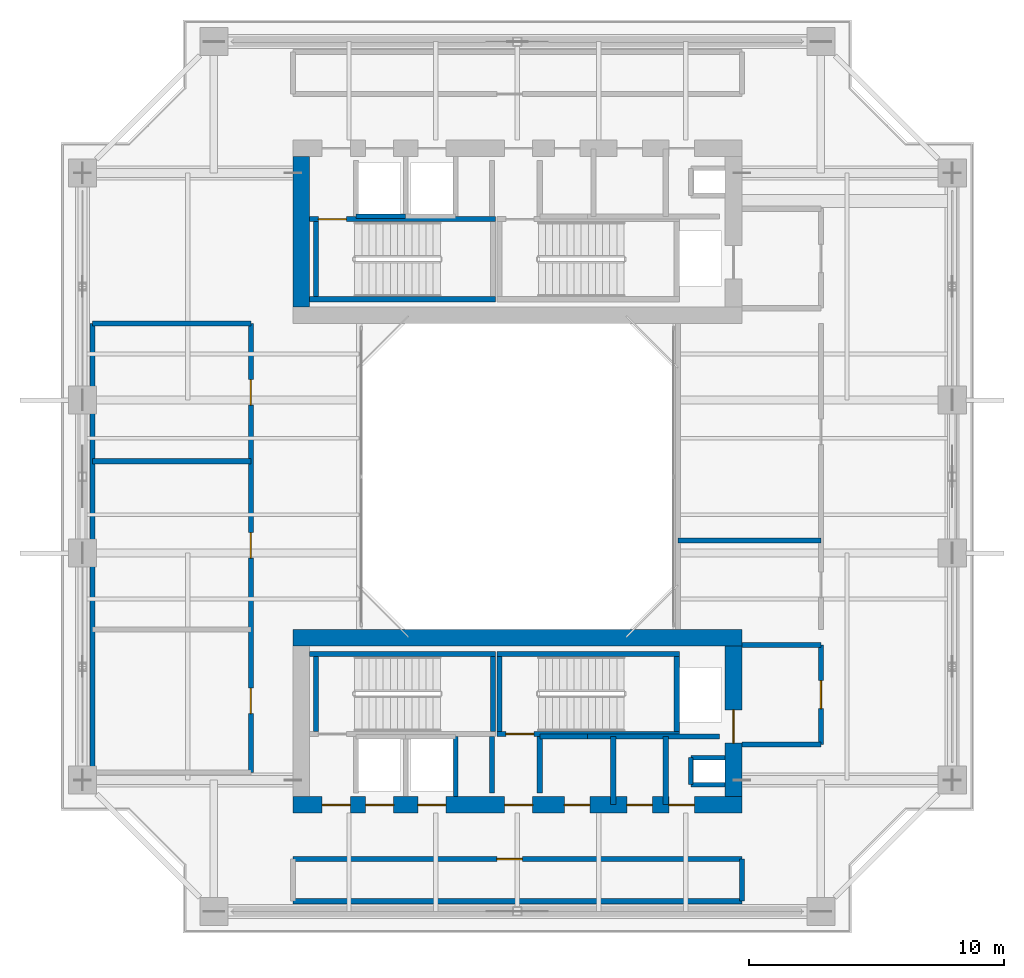
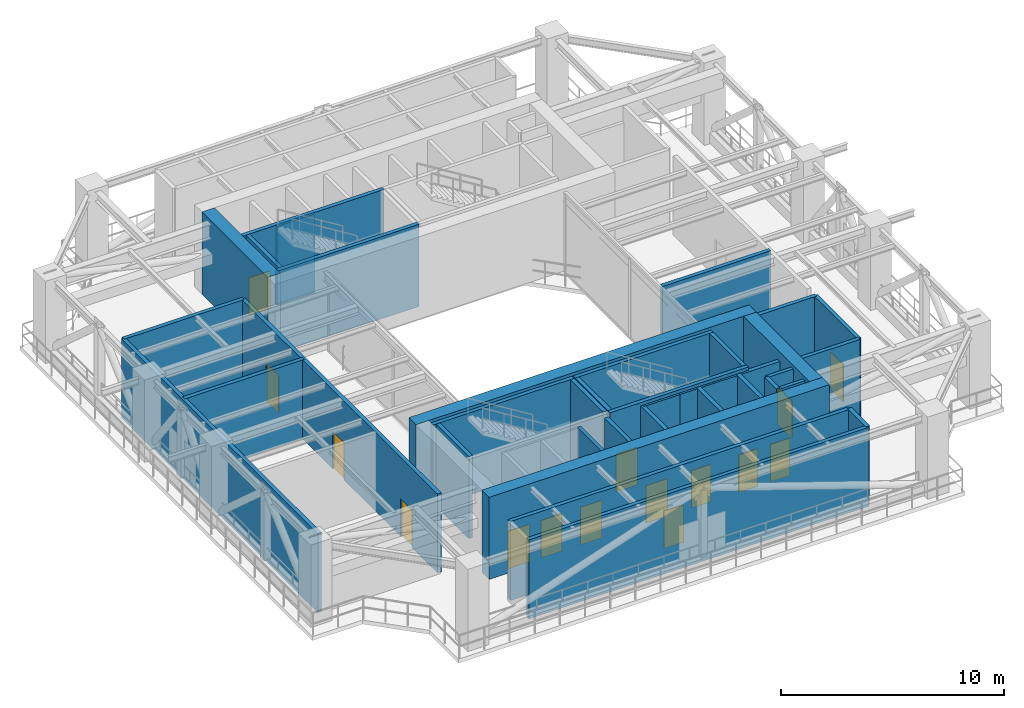
# One storey, part 6 of 11: 36 walls, 15 doors, 15 openings.
"""IFC4 building model written with IfcOpenShell, lengths in metres."""

from ifc_helpers import new_model, si_unit, direction, frame, frame_2d, origin, place, context, subcontext, project, spatial, rectangle, extrude, source, transform, mapped, material, layer, layer_set, type_object, element, fill, save


model = new_model("IFC4")

# Units and contexts
model_context = context("Model", 3, precision=1e-05, world=origin(), true_north=direction((0.0, 1.0)))
body_context = subcontext(model_context, "Body", "Model", "MODEL_VIEW")
ifc_project = project(units=[si_unit("LENGTHUNIT", "METRE"), si_unit("AREAUNIT", "SQUARE_METRE"), si_unit("VOLUMEUNIT", "CUBIC_METRE"), si_unit("PLANEANGLEUNIT", "RADIAN"), si_unit("MASSUNIT", "GRAM", prefix="KILO"), si_unit("THERMODYNAMICTEMPERATUREUNIT", "KELVIN"), si_unit("POWERUNIT", "WATT")], contexts=[model_context])

# Site, building, storey
site_placement = place(None, origin())
site = spatial("IfcSite", under=ifc_project, at=site_placement, CompositionType="ELEMENT")
building_placement = place(site_placement, origin())
building = spatial("IfcBuilding", under=site, at=building_placement, Name="Qiaomeng Ring Towers", CompositionType="ELEMENT")
storey_placement = place(building_placement, frame((0.0, 0.0, 139.25)))
storey = spatial("IfcBuildingStorey", under=building, at=storey_placement, Name="L40", CompositionType="ELEMENT", Elevation=139.25)

# Walls
ifc_material_1 = material(Name="Autoclaved aerated concrete block", Category="concrete")
ifc_layer_1 = layer(ifc_material_1, 0.199951171875, Name="Autoclaved aerated concrete block")
ifc_layer_set_1 = layer_set([ifc_layer_1], Name="Autoclaved aerated concrete block")
wall_type_1 = type_object("IfcWallType", Name="ARC-WL-PW1", PredefinedType="PARTITIONING", material=ifc_layer_set_1)
for number, where, z_axis, x_axis, name in (
    (1, (27.800048828125, 16.39990234375, 0.0), (0.0, 0.0, 1.0), (1.0, 0.0, 0.0), "L40 Interior Wall PW1"),
    (2, (27.800048828125, 12.5, 0.0), (0.0, 0.0, 1.0), (1.0, 0.0, 0.0), "L40 Interior Wall PW1"),
):
    element("IfcWall", number, at=place(storey_placement, frame(where, z_axis=z_axis, x_axis=x_axis)), inside=storey, type_object=wall_type_1, Name=name, PredefinedType="PARTITIONING", context=body_context, shape_type="SweptSolid", body=[
        extrude(rectangle(XDim=3.099853515625, YDim=0.199951171875, at=frame_2d((1.5498046875, 0.0))), origin(), (0.0, 0.0, 1.0), 4.320068359375),
    ])

# Wall, opening, door
wall_1_placement = place(storey_placement, frame((30.89990234375, 12.5, 0.0), z_axis=(0.0, 0.0, 1.0), x_axis=(0.0, 1.0, 0.0)))
wall_1 = element("IfcWall", 3, at=wall_1_placement, inside=storey, type_object=wall_type_1, Name="L40 Interior Wall PW1", PredefinedType="PARTITIONING", context=body_context, shape_type="SweptSolid", body=[
    extrude(rectangle(XDim=3.89990234375, YDim=0.199951171875, at=frame_2d((1.949951171875, 0.0))), origin(), (0.0, 0.0, 1.0), 4.320068359375),
])
opening_1_placement = place(wall_1_placement, frame((1.39990234375, 0.0, 0.0)))
opening_1 = element("IfcOpeningElement", 4, at=opening_1_placement, cuts=wall_1, Name="Opening FD3", PredefinedType="OPENING", context=body_context, shape_type="SweptSolid", body=[
    extrude(rectangle(XDim=1.10009765625, YDim=2.050048828125, at=frame_2d((0.550048828125, 1.02490234375))), frame((0.0, 0.10986328125, 0.0), z_axis=(0.0, -1.0, 0.0), x_axis=(1.0, 0.0, 0.0)), (0.0, 0.0, 1.0), 0.219970703125),
])
ifc_material_2 = material(Name="Galvanised steel", Category="steel")
door_type_1 = type_object("IfcDoorType", Name="ARC-DR-FD3", OperationType="NOTDEFINED", PredefinedType="DOOR", material=ifc_material_2)
shared_shape_1 = source(origin(), body_context, "Body", "SweptSolid", [
    extrude(rectangle(XDim=1.10009765625, YDim=2.050048828125, at=frame_2d((0.550048828125, 1.02490234375))), frame((0.0, 0.02490234375, 0.0), z_axis=(0.0, -1.0, 0.0), x_axis=(1.0, 0.0, 0.0)), (0.0, 0.0, 1.0), 0.050048828125),
])
door_1_placement = place(opening_1_placement, origin())
door_1 = element("IfcDoor", 5, at=door_1_placement, inside=storey, type_object=door_type_1, Name="L40 South FF Lobby Door", OperationType="SINGLE_SWING_LEFT", OverallHeight=2.050048828125, OverallWidth=1.10009765625, PredefinedType="DOOR", context=body_context, shape_type="MappedRepresentation", body=[
    mapped(shared_shape_1, transform((0.0, 0.0, 0.0), x_axis=(1.0, 0.0, 0.0), y_axis=(0.0, 1.0, 0.0), z_axis=(0.0, 0.0, 1.0), scale=1.0)),
])
fill(opening_1, door_1)

# Walls
for number, where, z_axis, x_axis, name in (
    (6, (18.0, 10.60009765625, 0.0), (0.0, 0.0, 1.0), (0.0, 1.0, 0.0), "L40 Interior Wall PW1"),
    (7, (19.8798828125, 10.60009765625, 0.0), (0.0, 0.0, 1.0), (0.0, 1.0, 0.0), "L40 Interior Wall PW1"),
):
    element("IfcWall", number, at=place(storey_placement, frame(where, z_axis=z_axis, x_axis=x_axis)), inside=storey, type_object=wall_type_1, Name=name, PredefinedType="PARTITIONING", context=body_context, shape_type="SweptSolid", body=[
        extrude(rectangle(XDim=2.2099609375, YDim=0.199951171875, at=frame_2d((1.10498046875, 0.0))), origin(), (0.0, 0.0, 1.0), 4.320068359375),
    ])
wall_2_placement = place(storey_placement, frame((24.820068359375, 10.14990234375, 0.0), z_axis=(0.0, 0.0, 1.0), x_axis=(0.0, 1.0, 0.0)))
element("IfcWall", 8, at=wall_2_placement, inside=storey, type_object=wall_type_1, Name="L40 Interior Wall PW1", PredefinedType="PARTITIONING", context=body_context, shape_type="SweptSolid", body=[
    extrude(rectangle(XDim=2.650146484375, YDim=0.199951171875, at=frame_2d((1.3251953125, 0.0))), origin(), (0.0, 0.0, 1.0), 4.320068359375),
])
wall_3_placement = place(storey_placement, frame((19.8798828125, 12.800048828125, 0.0), z_axis=(0.0, 0.0, 1.0), x_axis=(1.0, 0.0, 0.0)))
element("IfcWall", 9, at=wall_3_placement, inside=storey, type_object=wall_type_1, Name="L40 Interior Wall PW1", PredefinedType="PARTITIONING", context=body_context, shape_type="SweptSolid", body=[
    extrude(rectangle(XDim=1.8701171875, YDim=0.199951171875, at=frame_2d((0.93505859375, 0.0))), origin(), (0.0, 0.0, 1.0), 4.320068359375),
])
wall_4_placement = place(storey_placement, frame((22.760009765625, 10.14990234375, 0.0), z_axis=(0.0, 0.0, 1.0), x_axis=(0.0, 1.0, 0.0)))
element("IfcWall", 10, at=wall_4_placement, inside=storey, type_object=wall_type_1, Name="L40 Interior Wall PW1", PredefinedType="PARTITIONING", context=body_context, shape_type="SweptSolid", body=[
    extrude(rectangle(XDim=2.650146484375, YDim=0.199951171875, at=frame_2d((1.3251953125, 0.0))), origin(), (0.0, 0.0, 1.0), 4.320068359375),
])
wall_5_placement = place(storey_placement, frame((21.75, 12.800048828125, 0.0), z_axis=(0.0, 0.0, 1.0), x_axis=(1.0, 0.0, 0.0)))
element("IfcWall", 11, at=wall_5_placement, inside=storey, type_object=wall_type_1, Name="L40 Interior Wall PW1", PredefinedType="PARTITIONING", context=body_context, shape_type="SweptSolid", body=[
    extrude(rectangle(XDim=5.169921875, YDim=0.199951171875, at=frame_2d((2.5849609375, 0.0))), origin(), (0.0, 0.0, 1.0), 4.320068359375),
])

# Wall, opening, door
wall_6_placement = place(storey_placement, frame((10.199951171875, 8.0, 0.0), z_axis=(0.0, 0.0, 1.0), x_axis=(1.0, 0.0, 0.0)))
wall_6 = element("IfcWall", 12, at=wall_6_placement, inside=storey, type_object=wall_type_1, Name="L40 Interior Wall PW1", PredefinedType="PARTITIONING", context=body_context, shape_type="SweptSolid", body=[
    extrude(rectangle(XDim=17.60009765625, YDim=0.199951171875, at=frame_2d((8.800048828125, 0.0))), origin(), (0.0, 0.0, 1.0), 4.320068359375),
])
opening_2_placement = place(wall_6_placement, frame((8.0, 0.0, 0.0)))
opening_2 = element("IfcOpeningElement", 13, at=opening_2_placement, cuts=wall_6, Name="Opening FD1", PredefinedType="OPENING", context=body_context, shape_type="SweptSolid", body=[
    extrude(rectangle(XDim=1.0, YDim=2.050048828125, at=frame_2d((0.5, 1.02490234375))), frame((0.0, 0.10986328125, 0.0), z_axis=(0.0, -1.0, 0.0), x_axis=(1.0, 0.0, 0.0)), (0.0, 0.0, 1.0), 0.219970703125),
])
door_type_2 = type_object("IfcDoorType", Name="ARC-DR-FD1", OperationType="NOTDEFINED", PredefinedType="DOOR", material=ifc_material_2)
shared_shape_2 = source(origin(), body_context, "Body", "SweptSolid", [
    extrude(rectangle(XDim=1.0, YDim=2.050048828125, at=frame_2d((0.5, 1.02490234375))), frame((0.0, 0.02490234375, 0.0), z_axis=(0.0, -1.0, 0.0), x_axis=(1.0, 0.0, 0.0)), (0.0, 0.0, 1.0), 0.050048828125),
])
door_2_placement = place(opening_2_placement, origin())
door_2 = element("IfcDoor", 14, at=door_2_placement, inside=storey, type_object=door_type_2, Name="L40 Door FD1", OperationType="SINGLE_SWING_LEFT", OverallHeight=2.050048828125, OverallWidth=1.0, PredefinedType="DOOR", context=body_context, shape_type="MappedRepresentation", body=[
    mapped(shared_shape_2, transform((0.0, 0.0, 0.0), x_axis=(1.0, 0.0, 0.0), y_axis=(0.0, 1.0, 0.0), z_axis=(0.0, 0.0, 1.0), scale=1.0)),
])
fill(opening_2, door_2)

# Wall, openings, doors
wall_7_placement = place(storey_placement, frame((8.550048828125, 11.39990234375, 0.0), z_axis=(0.0, 0.0, 1.0), x_axis=(0.0, 1.0, 0.0)))
wall_7 = element("IfcWall", 15, at=wall_7_placement, inside=storey, type_object=wall_type_1, Name="L40 Interior Wall PW1", PredefinedType="PARTITIONING", context=body_context, shape_type="SweptSolid", body=[
    extrude(rectangle(XDim=17.60009765625, YDim=0.199951171875, at=frame_2d((8.800048828125, 0.0))), origin(), (0.0, 0.0, 1.0), 4.320068359375),
])
opening_3_placement = place(wall_7_placement, frame((8.39990234375, 0.0, 0.0)))
opening_3 = element("IfcOpeningElement", 16, at=opening_3_placement, cuts=wall_7, Name="Opening FD1", PredefinedType="OPENING", context=body_context, shape_type="SweptSolid", body=[
    extrude(rectangle(XDim=1.0, YDim=2.050048828125, at=frame_2d((0.5, 1.02490234375))), frame((0.0, 0.10986328125, 0.0), z_axis=(0.0, -1.0, 0.0), x_axis=(1.0, 0.0, 0.0)), (0.0, 0.0, 1.0), 0.219970703125),
])
opening_4_placement = place(wall_7_placement, frame((14.39990234375, 0.0, 0.0)))
opening_4 = element("IfcOpeningElement", 17, at=opening_4_placement, cuts=wall_7, Name="Opening FD1", PredefinedType="OPENING", context=body_context, shape_type="SweptSolid", body=[
    extrude(rectangle(XDim=1.0, YDim=2.050048828125, at=frame_2d((0.5, 1.02490234375))), frame((0.0, 0.10986328125, 0.0), z_axis=(0.0, -1.0, 0.0), x_axis=(1.0, 0.0, 0.0)), (0.0, 0.0, 1.0), 0.219970703125),
])
opening_5_placement = place(wall_7_placement, frame((2.300048828125, 0.0, 0.0)))
opening_5 = element("IfcOpeningElement", 18, at=opening_5_placement, cuts=wall_7, Name="Opening FD1", PredefinedType="OPENING", context=body_context, shape_type="SweptSolid", body=[
    extrude(rectangle(XDim=1.0, YDim=2.050048828125, at=frame_2d((0.5, 1.02490234375))), frame((0.0, 0.10986328125, 0.0), z_axis=(0.0, -1.0, 0.0), x_axis=(1.0, 0.0, 0.0)), (0.0, 0.0, 1.0), 0.219970703125),
])
door_3_placement = place(opening_3_placement, origin())
door_3 = element("IfcDoor", 19, at=door_3_placement, inside=storey, type_object=door_type_2, Name="L40 Door FD1", OperationType="SINGLE_SWING_RIGHT", OverallHeight=2.050048828125, OverallWidth=1.0, PredefinedType="DOOR", context=body_context, shape_type="MappedRepresentation", body=[
    mapped(shared_shape_2, transform((0.0, 0.0, 0.0), x_axis=(1.0, 0.0, 0.0), y_axis=(0.0, 1.0, 0.0), z_axis=(0.0, 0.0, 1.0), scale=1.0)),
])
fill(opening_3, door_3)
door_4_placement = place(opening_4_placement, origin())
door_4 = element("IfcDoor", 20, at=door_4_placement, inside=storey, type_object=door_type_2, Name="L40 Door FD1", OperationType="SINGLE_SWING_LEFT", OverallHeight=2.050048828125, OverallWidth=1.0, PredefinedType="DOOR", context=body_context, shape_type="MappedRepresentation", body=[
    mapped(shared_shape_2, transform((0.0, 0.0, 0.0), x_axis=(1.0, 0.0, 0.0), y_axis=(0.0, 1.0, 0.0), z_axis=(0.0, 0.0, 1.0), scale=1.0)),
])
fill(opening_4, door_4)
door_5_placement = place(opening_5_placement, origin())
door_5 = element("IfcDoor", 21, at=door_5_placement, inside=storey, type_object=door_type_2, Name="L40 Door FD1", OperationType="SINGLE_SWING_RIGHT", OverallHeight=2.050048828125, OverallWidth=1.0, PredefinedType="DOOR", context=body_context, shape_type="MappedRepresentation", body=[
    mapped(shared_shape_2, transform((0.0, 0.0, 0.0), x_axis=(1.0, 0.0, 0.0), y_axis=(0.0, 1.0, 0.0), z_axis=(0.0, 0.0, 1.0), scale=1.0)),
])
fill(opening_5, door_5)

# Walls
for number, where, z_axis, x_axis, name in (
    (22, (2.35009765625, 23.60009765625, 0.0), (0.0, 0.0, 1.0), (1.0, 0.0, 0.0), "L40 Interior Wall PW1"),
    (23, (2.35009765625, 29.0, 0.0), (0.0, 0.0, 1.0), (1.0, 0.0, 0.0), "L40 Interior Wall PW1"),
):
    element("IfcWall", number, at=place(storey_placement, frame(where, z_axis=z_axis, x_axis=x_axis)), inside=storey, type_object=wall_type_1, Name=name, PredefinedType="PARTITIONING", context=body_context, shape_type="SweptSolid", body=[
        extrude(rectangle(XDim=6.199951171875, YDim=0.199951171875, at=frame_2d((3.10009765625, 0.0))), origin(), (0.0, 0.0, 1.0), 4.320068359375),
    ])
wall_8_placement = place(storey_placement, frame((2.35009765625, 11.39990234375, 0.0), z_axis=(0.0, 0.0, 1.0), x_axis=(0.0, 1.0, 0.0)))
element("IfcWall", 24, at=wall_8_placement, inside=storey, type_object=wall_type_1, Name="L40 Interior Wall PW1", PredefinedType="PARTITIONING", context=body_context, shape_type="SweptSolid", body=[
    extrude(rectangle(XDim=17.60009765625, YDim=0.199951171875, at=frame_2d((8.800048828125, 0.0))), origin(), (0.0, 0.0, 1.0), 4.320068359375),
])
wall_9_placement = place(storey_placement, frame((27.800048828125, 6.35009765625, 0.0), z_axis=(0.0, 0.0, 1.0), x_axis=(0.0, 1.0, 0.0)))
element("IfcWall", 25, at=wall_9_placement, inside=storey, type_object=wall_type_1, Name="L40 Interior Wall PW1", PredefinedType="PARTITIONING", context=body_context, shape_type="SweptSolid", body=[
    extrude(rectangle(XDim=1.64990234375, YDim=0.199951171875, at=frame_2d((0.824951171875, 0.0))), origin(), (0.0, 0.0, 1.0), 4.320068359375),
])
wall_10_placement = place(storey_placement, frame((10.199951171875, 6.35009765625, 0.0), z_axis=(0.0, 0.0, 1.0), x_axis=(1.0, 0.0, 0.0)))
element("IfcWall", 26, at=wall_10_placement, inside=storey, type_object=wall_type_1, Name="L40 Interior Wall PW1", PredefinedType="PARTITIONING", context=body_context, shape_type="SweptSolid", body=[
    extrude(rectangle(XDim=17.60009765625, YDim=0.199951171875, at=frame_2d((8.800048828125, 0.0))), origin(), (0.0, 0.0, 1.0), 4.320068359375),
])
wall_11_placement = place(storey_placement, frame((25.300048828125, 20.5, 0.0), z_axis=(0.0, 0.0, 1.0), x_axis=(1.0, 0.0, 0.0)))
element("IfcWall", 27, at=wall_11_placement, inside=storey, type_object=wall_type_1, Name="L40 Interior Wall PW1", PredefinedType="PARTITIONING", context=body_context, shape_type="SweptSolid", body=[
    extrude(rectangle(XDim=5.599853515625, YDim=0.199951171875, at=frame_2d((2.7998046875, 0.0))), origin(), (0.0, 0.0, 1.0), 4.320068359375),
])
ifc_material_3 = material(Name="Concrete C40", Category="concrete")
ifc_layer_2 = layer(ifc_material_3, 0.199951171875, Name="Concrete C40")
ifc_layer_set_2 = layer_set([ifc_layer_2], Name="Concrete C40")
wall_type_2 = type_object("IfcWallType", Name="STR-WL-STSHAFT", PredefinedType="SHEAR", material=ifc_layer_set_2)
wall_12_placement = place(storey_placement, frame((12.679931640625, 33.199951171875, 0.0), z_axis=(0.0, 0.0, 1.0), x_axis=(1.0, 0.0, 0.0)))
element("IfcWall", 28, at=wall_12_placement, inside=storey, type_object=wall_type_2, Name="L40 Lift LP5 Shaft Back Wall", PredefinedType="SHEAR", context=body_context, shape_type="SweptSolid", body=[
    extrude(rectangle(XDim=1.940185546875, YDim=0.179931640625, at=frame_2d((0.97021484375, 0.0))), origin(), (0.0, 0.0, 1.0), 4.320068359375),
])
wall_13_placement = place(storey_placement, frame((25.800048828125, 10.919921875, 0.0), z_axis=(0.0, 0.0, 1.0), x_axis=(0.0, 1.0, 0.0)))
element("IfcWall", 29, at=wall_13_placement, inside=storey, type_object=wall_type_2, Name="L40 Riser RSR1 West Shaft Wall S", PredefinedType="SHEAR", context=body_context, shape_type="SweptSolid", body=[
    extrude(rectangle(XDim=1.06005859375, YDim=0.179931640625, at=frame_2d((0.530029296875, 0.0))), origin(), (0.0, 0.0, 1.0), 4.320068359375),
])
for number, where, z_axis, x_axis, name in (
    (30, (25.800048828125, 11.97998046875, 0.0), (0.0, 0.0, 1.0), (1.0, 0.0, 0.0), "L40 Riser RSR1 North Shaft Wall S"),
    (31, (25.800048828125, 10.919921875, 0.0), (0.0, 0.0, 1.0), (1.0, 0.0, 0.0), "L40 Riser RSR1 South Shaft Wall S"),
):
    element("IfcWall", number, at=place(storey_placement, frame(where, z_axis=z_axis, x_axis=x_axis)), inside=storey, type_object=wall_type_2, Name=name, PredefinedType="SHEAR", context=body_context, shape_type="SweptSolid", body=[
        extrude(rectangle(XDim=1.349853515625, YDim=0.179931640625, at=frame_2d((0.6748046875, 0.0))), origin(), (0.0, 0.0, 1.0), 4.320068359375),
    ])
wall_14_placement = place(storey_placement, frame((16.580078125, 10.449951171875, 0.0), z_axis=(0.0, 0.0, 1.0), x_axis=(0.0, 1.0, 0.0)))
element("IfcWall", 32, at=wall_14_placement, inside=storey, type_object=wall_type_2, Name="L40 Lift LP4 East Shaft Wall", PredefinedType="SHEAR", context=body_context, shape_type="SweptSolid", body=[
    extrude(rectangle(XDim=2.35009765625, YDim=0.179931640625, at=frame_2d((1.175048828125, 0.0))), origin(), (0.0, 0.0, 1.0), 4.320068359375),
])
wall_15_placement = place(storey_placement, frame((10.85009765625, 29.949951171875, 0.0), z_axis=(0.0, 0.0, 1.0), x_axis=(1.0, 0.0, 0.0)))
element("IfcWall", 33, at=wall_15_placement, inside=storey, type_object=wall_type_2, Name="L40 Stair ST1 South Shaft Shear Wall", PredefinedType="SHEAR", context=body_context, shape_type="SweptSolid", body=[
    extrude(rectangle(XDim=7.2998046875, YDim=0.199951171875, at=frame_2d((3.64990234375, 0.0))), origin(), (0.0, 0.0, 1.0), 4.5),
])

# Wall, opening, door
wall_16_placement = place(storey_placement, frame((10.85009765625, 33.090087890625, 0.0), z_axis=(0.0, 0.0, 1.0), x_axis=(1.0, 0.0, 0.0)))
wall_16 = element("IfcWall", 34, at=wall_16_placement, inside=storey, type_object=wall_type_2, Name="L40 Stair ST1 North Shaft Shear Wall", PredefinedType="SHEAR", context=body_context, shape_type="SweptSolid", body=[
    extrude(rectangle(XDim=7.2998046875, YDim=0.199951171875, at=frame_2d((3.64990234375, 0.0))), origin(), (0.0, 0.0, 1.0), 4.5),
])
opening_6_placement = place(wall_16_placement, frame((0.35009765625, 0.0, 0.0)))
opening_6 = element("IfcOpeningElement", 35, at=opening_6_placement, cuts=wall_16, Name="Opening FD3", PredefinedType="OPENING", context=body_context, shape_type="SweptSolid", body=[
    extrude(rectangle(XDim=1.10009765625, YDim=2.050048828125, at=frame_2d((0.550048828125, 1.02490234375))), frame((0.0, 0.10986328125, 0.0), z_axis=(0.0, -1.0, 0.0), x_axis=(1.0, 0.0, 0.0)), (0.0, 0.0, 1.0), 0.219970703125),
])
door_6_placement = place(opening_6_placement, origin())
door_6 = element("IfcDoor", 36, at=door_6_placement, inside=storey, type_object=door_type_1, Name="L40 Stair ST1 Exit Door", OperationType="SINGLE_SWING_LEFT", OverallHeight=2.050048828125, OverallWidth=1.10009765625, PredefinedType="DOOR", context=body_context, shape_type="MappedRepresentation", body=[
    mapped(shared_shape_1, transform((0.0, 0.0, 0.0), x_axis=(1.0, 0.0, 0.0), y_axis=(0.0, 1.0, 0.0), z_axis=(0.0, 0.0, 1.0), scale=1.0)),
])
fill(opening_6, door_6)

# Walls
wall_17_placement = place(storey_placement, frame((11.10009765625, 30.050048828125, 0.0), z_axis=(0.0, 0.0, 1.0), x_axis=(0.0, 1.0, 0.0)))
element("IfcWall", 37, at=wall_17_placement, inside=storey, type_object=wall_type_2, Name="L40 Stair ST1 West Shaft Shear Wall", PredefinedType="SHEAR", context=body_context, shape_type="SweptSolid", body=[
    extrude(rectangle(XDim=2.93994140625, YDim=0.199951171875, at=frame_2d((1.469970703125, 0.0))), origin(), (0.0, 0.0, 1.0), 4.5),
])
wall_18_placement = place(storey_placement, frame((10.85009765625, 16.050048828125, 0.0), z_axis=(0.0, 0.0, 1.0), x_axis=(1.0, 0.0, 0.0)))
element("IfcWall", 38, at=wall_18_placement, inside=storey, type_object=wall_type_2, Name="L40 Stair ST3 North Shaft Shear Wall", PredefinedType="SHEAR", context=body_context, shape_type="SweptSolid", body=[
    extrude(rectangle(XDim=7.2998046875, YDim=0.199951171875, at=frame_2d((3.64990234375, 0.0))), origin(), (0.0, 0.0, 1.0), 4.5),
])
for number, where, z_axis, x_axis, name in (
    (39, (11.10009765625, 13.010009765625, 0.0), (0.0, 0.0, 1.0), (0.0, 1.0, 0.0), "L40 Stair ST3 West Shaft Shear Wall"),
    (40, (18.050048828125, 13.010009765625, 0.0), (0.0, 0.0, 1.0), (0.0, 1.0, 0.0), "L40 Stair ST3 East Shaft Shear Wall"),
):
    element("IfcWall", number, at=place(storey_placement, frame(where, z_axis=z_axis, x_axis=x_axis)), inside=storey, type_object=wall_type_2, Name=name, PredefinedType="SHEAR", context=body_context, shape_type="SweptSolid", body=[
        extrude(rectangle(XDim=2.93994140625, YDim=0.199951171875, at=frame_2d((1.469970703125, 0.0))), origin(), (0.0, 0.0, 1.0), 4.5),
    ])

# Wall, opening, door
wall_19_placement = place(storey_placement, frame((18.199951171875, 12.909912109375, 0.0), z_axis=(0.0, 0.0, 1.0), x_axis=(1.0, 0.0, 0.0)))
wall_19 = element("IfcWall", 41, at=wall_19_placement, inside=storey, type_object=wall_type_2, Name="L40 Stair ST4 South Shaft Shear Wall", PredefinedType="SHEAR", context=body_context, shape_type="SweptSolid", body=[
    extrude(rectangle(XDim=7.150146484375, YDim=0.199951171875, at=frame_2d((3.5751953125, 0.0))), origin(), (0.0, 0.0, 1.0), 4.5),
])
opening_7_placement = place(wall_19_placement, frame((0.35009765625, 0.0, 0.0)))
opening_7 = element("IfcOpeningElement", 42, at=opening_7_placement, cuts=wall_19, Name="Opening FD3", PredefinedType="OPENING", context=body_context, shape_type="SweptSolid", body=[
    extrude(rectangle(XDim=1.10009765625, YDim=2.050048828125, at=frame_2d((0.550048828125, 1.02490234375))), frame((0.0, 0.10986328125, 0.0), z_axis=(0.0, -1.0, 0.0), x_axis=(1.0, 0.0, 0.0)), (0.0, 0.0, 1.0), 0.219970703125),
])
door_7_placement = place(opening_7_placement, frame((1.10009765625, 0.0, 0.0), z_axis=(0.0, 0.0, 1.0), x_axis=(-1.0, 0.0, 0.0)))
door_7 = element("IfcDoor", 43, at=door_7_placement, inside=storey, type_object=door_type_1, Name="L40 Stair ST4 Exit Door", OperationType="SINGLE_SWING_LEFT", OverallHeight=2.050048828125, OverallWidth=1.10009765625, PredefinedType="DOOR", context=body_context, shape_type="MappedRepresentation", body=[
    mapped(shared_shape_1, transform((0.0, 0.0, 0.0), x_axis=(1.0, 0.0, 0.0), y_axis=(0.0, 1.0, 0.0), z_axis=(0.0, 0.0, 1.0), scale=1.0)),
])
fill(opening_7, door_7)

# Walls
wall_20_placement = place(storey_placement, frame((18.199951171875, 16.050048828125, 0.0), z_axis=(0.0, 0.0, 1.0), x_axis=(1.0, 0.0, 0.0)))
element("IfcWall", 44, at=wall_20_placement, inside=storey, type_object=wall_type_2, Name="L40 Stair ST4 North Shaft Shear Wall", PredefinedType="SHEAR", context=body_context, shape_type="SweptSolid", body=[
    extrude(rectangle(XDim=7.150146484375, YDim=0.199951171875, at=frame_2d((3.5751953125, 0.0))), origin(), (0.0, 0.0, 1.0), 4.5),
])
for number, where, z_axis, x_axis, name in (
    (45, (18.300048828125, 13.010009765625, 0.0), (0.0, 0.0, 1.0), (0.0, 1.0, 0.0), "L40 Stair ST4 West Shaft Shear Wall"),
    (46, (25.25, 13.010009765625, 0.0), (0.0, 0.0, 1.0), (0.0, 1.0, 0.0), "L40 Stair ST4 East Shaft Shear Wall"),
):
    element("IfcWall", number, at=place(storey_placement, frame(where, z_axis=z_axis, x_axis=x_axis)), inside=storey, type_object=wall_type_2, Name=name, PredefinedType="SHEAR", context=body_context, shape_type="SweptSolid", body=[
        extrude(rectangle(XDim=2.93994140625, YDim=0.199951171875, at=frame_2d((1.469970703125, 0.0))), origin(), (0.0, 0.0, 1.0), 4.5),
    ])
ifc_material_4 = material(Name="Concrete C55", Category="concrete")
ifc_layer_3 = layer(ifc_material_4, 0.64990234375, Name="Concrete C55")
ifc_layer_set_3 = layer_set([ifc_layer_3], Name="Concrete C55")
wall_type_3 = type_object("IfcWallType", Name="STR-WL-SW2A", PredefinedType="SHEAR", material=ifc_layer_set_3)
wall_21_placement = place(storey_placement, frame((10.52490234375, 29.64990234375, 0.0), z_axis=(0.0, 0.0, 1.0), x_axis=(0.0, 1.0, 0.0)))
element("IfcWall", 47, at=wall_21_placement, inside=storey, type_object=wall_type_3, Name="L40 T1NC west core shear wall", PredefinedType="SHEAR", context=body_context, shape_type="SweptSolid", body=[
    extrude(rectangle(XDim=5.900146484375, YDim=0.64990234375, at=frame_2d((2.9501953125, 0.0))), origin(), (0.0, 0.0, 1.0), 4.5),
])

# Wall, openings, doors
wall_22_placement = place(storey_placement, frame((10.199951171875, 10.125, 0.0), z_axis=(0.0, 0.0, 1.0), x_axis=(1.0, 0.0, 0.0)))
wall_22 = element("IfcWall", 48, at=wall_22_placement, inside=storey, type_object=wall_type_3, Name="L40 T1SC south core shear wall", PredefinedType="SHEAR", context=body_context, shape_type="SweptSolid", body=[
    extrude(rectangle(XDim=17.60009765625, YDim=0.64990234375, at=frame_2d((8.800048828125, 0.0))), origin(), (0.0, 0.0, 1.0), 4.5),
])
opening_8_placement = place(wall_22_placement, frame((1.14990234375, 0.0, 0.0)))
opening_8 = element("IfcOpeningElement", 49, at=opening_8_placement, cuts=wall_22, Name="Opening FD3", PredefinedType="OPENING", context=body_context, shape_type="SweptSolid", body=[
    extrude(rectangle(XDim=1.10009765625, YDim=2.050048828125, at=frame_2d((0.550048828125, 1.02490234375))), frame((0.0, 0.3349609375, 0.0), z_axis=(0.0, -1.0, 0.0), x_axis=(1.0, 0.0, 0.0)), (0.0, 0.0, 1.0), 0.669921875),
])
opening_9_placement = place(wall_22_placement, frame((8.300048828125, 0.0, 0.0)))
opening_9 = element("IfcOpeningElement", 50, at=opening_9_placement, cuts=wall_22, Name="Opening FD3", PredefinedType="OPENING", context=body_context, shape_type="SweptSolid", body=[
    extrude(rectangle(XDim=1.10009765625, YDim=2.050048828125, at=frame_2d((0.550048828125, 1.02490234375))), frame((0.0, 0.3349609375, 0.0), z_axis=(0.0, -1.0, 0.0), x_axis=(1.0, 0.0, 0.0)), (0.0, 0.0, 1.0), 0.669921875),
])
opening_10_placement = place(wall_22_placement, frame((4.89990234375, 0.0, 0.0)))
opening_10 = element("IfcOpeningElement", 51, at=opening_10_placement, cuts=wall_22, Name="Opening LD1", PredefinedType="OPENING", context=body_context, shape_type="SweptSolid", body=[
    extrude(rectangle(XDim=1.10009765625, YDim=2.050048828125, at=frame_2d((0.550048828125, 1.02490234375))), frame((0.0, 0.3349609375, 0.0), z_axis=(0.0, -1.0, 0.0), x_axis=(1.0, 0.0, 0.0)), (0.0, 0.0, 1.0), 0.669921875),
])
opening_11_placement = place(wall_22_placement, frame((2.85009765625, 0.0, 0.0)))
opening_11 = element("IfcOpeningElement", 52, at=opening_11_placement, cuts=wall_22, Name="Opening LD1", PredefinedType="OPENING", context=body_context, shape_type="SweptSolid", body=[
    extrude(rectangle(XDim=1.10009765625, YDim=2.050048828125, at=frame_2d((0.550048828125, 1.02490234375))), frame((0.0, 0.3349609375, 0.0), z_axis=(0.0, -1.0, 0.0), x_axis=(1.0, 0.0, 0.0)), (0.0, 0.0, 1.0), 0.669921875),
])
opening_12_placement = place(wall_22_placement, frame((14.739990234375, 0.0, 0.0)))
opening_12 = element("IfcOpeningElement", 53, at=opening_12_placement, cuts=wall_22, Name="Opening FD1", PredefinedType="OPENING", context=body_context, shape_type="SweptSolid", body=[
    extrude(rectangle(XDim=1.0, YDim=2.050048828125, at=frame_2d((0.5, 1.02490234375))), frame((0.0, 0.3349609375, 0.0), z_axis=(0.0, -1.0, 0.0), x_axis=(1.0, 0.0, 0.0)), (0.0, 0.0, 1.0), 0.669921875),
])
opening_13_placement = place(wall_22_placement, frame((10.639892578125, 0.0, 0.0)))
opening_13 = element("IfcOpeningElement", 54, at=opening_13_placement, cuts=wall_22, Name="Opening FD1", PredefinedType="OPENING", context=body_context, shape_type="SweptSolid", body=[
    extrude(rectangle(XDim=1.0, YDim=2.050048828125, at=frame_2d((0.5, 1.02490234375))), frame((0.0, 0.3349609375, 0.0), z_axis=(0.0, -1.0, 0.0), x_axis=(1.0, 0.0, 0.0)), (0.0, 0.0, 1.0), 0.669921875),
])
opening_14_placement = place(wall_22_placement, frame((13.090087890625, 0.0, 0.0)))
opening_14 = element("IfcOpeningElement", 55, at=opening_14_placement, cuts=wall_22, Name="Opening FD1", PredefinedType="OPENING", context=body_context, shape_type="SweptSolid", body=[
    extrude(rectangle(XDim=1.0, YDim=2.050048828125, at=frame_2d((0.5, 1.02490234375))), frame((0.0, 0.3349609375, 0.0), z_axis=(0.0, -1.0, 0.0), x_axis=(1.0, 0.0, 0.0)), (0.0, 0.0, 1.0), 0.669921875),
])
door_8_placement = place(opening_8_placement, origin())
door_8 = element("IfcDoor", 56, at=door_8_placement, inside=storey, type_object=door_type_1, Name="L40 Stair ST3 Lobby Door", OperationType="SINGLE_SWING_RIGHT", OverallHeight=2.050048828125, OverallWidth=1.10009765625, PredefinedType="DOOR", context=body_context, shape_type="MappedRepresentation", body=[
    mapped(shared_shape_1, transform((0.0, 0.0, 0.0), x_axis=(1.0, 0.0, 0.0), y_axis=(0.0, 1.0, 0.0), z_axis=(0.0, 0.0, 1.0), scale=1.0)),
])
fill(opening_8, door_8)
door_9_placement = place(opening_9_placement, origin())
door_9 = element("IfcDoor", 57, at=door_9_placement, inside=storey, type_object=door_type_1, Name="L40 Stair ST4 Lobby Door", OperationType="SINGLE_SWING_RIGHT", OverallHeight=2.050048828125, OverallWidth=1.10009765625, PredefinedType="DOOR", context=body_context, shape_type="MappedRepresentation", body=[
    mapped(shared_shape_1, transform((0.0, 0.0, 0.0), x_axis=(1.0, 0.0, 0.0), y_axis=(0.0, 1.0, 0.0), z_axis=(0.0, 0.0, 1.0), scale=1.0)),
])
fill(opening_9, door_9)
ifc_material_5 = material(Name="Stainless steel 316", Category="steel")
door_type_3 = type_object("IfcDoorType", Name="ARC-DR-LD1", OperationType="NOTDEFINED", PredefinedType="DOOR", material=ifc_material_5)
door_10_placement = place(opening_10_placement, origin())
door_10 = element("IfcDoor", 58, at=door_10_placement, inside=storey, type_object=door_type_3, Name="L40 Mid-Zone Lift LP4 Landing Door", OperationType="SLIDING_TO_RIGHT", OverallHeight=2.050048828125, OverallWidth=1.10009765625, PredefinedType="DOOR", context=body_context, shape_type="MappedRepresentation", body=[
    mapped(shared_shape_1, transform((0.0, 0.0, 0.0), x_axis=(1.0, 0.0, 0.0), y_axis=(0.0, 1.0, 0.0), z_axis=(0.0, 0.0, 1.0), scale=1.0)),
])
fill(opening_10, door_10)
door_11_placement = place(opening_11_placement, origin())
door_11 = element("IfcDoor", 59, at=door_11_placement, inside=storey, type_object=door_type_3, Name="L40 High-Zone Lift LP6 Landing Door", OperationType="SLIDING_TO_RIGHT", OverallHeight=2.050048828125, OverallWidth=1.10009765625, PredefinedType="DOOR", context=body_context, shape_type="MappedRepresentation", body=[
    mapped(shared_shape_1, transform((0.0, 0.0, 0.0), x_axis=(1.0, 0.0, 0.0), y_axis=(0.0, 1.0, 0.0), z_axis=(0.0, 0.0, 1.0), scale=1.0)),
])
fill(opening_11, door_11)
door_12_placement = place(opening_12_placement, origin())
door_12 = element("IfcDoor", 60, at=door_12_placement, inside=storey, type_object=door_type_2, Name="L40 South Electrical Riser Door", OperationType="SINGLE_SWING_LEFT", OverallHeight=2.050048828125, OverallWidth=1.0, PredefinedType="DOOR", context=body_context, shape_type="MappedRepresentation", body=[
    mapped(shared_shape_2, transform((0.0, 0.0, 0.0), x_axis=(1.0, 0.0, 0.0), y_axis=(0.0, 1.0, 0.0), z_axis=(0.0, 0.0, 1.0), scale=1.0)),
])
fill(opening_12, door_12)
door_13_placement = place(opening_13_placement, origin())
door_13 = element("IfcDoor", 61, at=door_13_placement, inside=storey, type_object=door_type_2, Name="L40 South Telemetry Study Door", OperationType="SINGLE_SWING_RIGHT", OverallHeight=2.050048828125, OverallWidth=1.0, PredefinedType="DOOR", context=body_context, shape_type="MappedRepresentation", body=[
    mapped(shared_shape_2, transform((0.0, 0.0, 0.0), x_axis=(1.0, 0.0, 0.0), y_axis=(0.0, 1.0, 0.0), z_axis=(0.0, 0.0, 1.0), scale=1.0)),
])
fill(opening_13, door_13)
door_14_placement = place(opening_14_placement, origin())
door_14 = element("IfcDoor", 62, at=door_14_placement, inside=storey, type_object=door_type_2, Name="L40 South Plumbing Riser Room Door", OperationType="SINGLE_SWING_LEFT", OverallHeight=2.050048828125, OverallWidth=1.0, PredefinedType="DOOR", context=body_context, shape_type="MappedRepresentation", body=[
    mapped(shared_shape_2, transform((0.0, 0.0, 0.0), x_axis=(1.0, 0.0, 0.0), y_axis=(0.0, 1.0, 0.0), z_axis=(0.0, 0.0, 1.0), scale=1.0)),
])
fill(opening_14, door_14)

# Wall
wall_23_placement = place(storey_placement, frame((10.199951171875, 16.675048828125, 0.0), z_axis=(0.0, 0.0, 1.0), x_axis=(1.0, 0.0, 0.0)))
element("IfcWall", 63, at=wall_23_placement, inside=storey, type_object=wall_type_3, Name="L40 T1SC north core shear wall", PredefinedType="SHEAR", context=body_context, shape_type="SweptSolid", body=[
    extrude(rectangle(XDim=17.60009765625, YDim=0.64990234375, at=frame_2d((8.800048828125, 0.0))), origin(), (0.0, 0.0, 1.0), 4.5),
])

# Wall, opening, door
wall_24_placement = place(storey_placement, frame((27.47509765625, 10.449951171875, 0.0), z_axis=(0.0, 0.0, 1.0), x_axis=(0.0, 1.0, 0.0)))
wall_24 = element("IfcWall", 64, at=wall_24_placement, inside=storey, type_object=wall_type_3, Name="L40 T1SC east core shear wall", PredefinedType="SHEAR", context=body_context, shape_type="SweptSolid", body=[
    extrude(rectangle(XDim=5.900146484375, YDim=0.64990234375, at=frame_2d((2.9501953125, 0.0))), origin(), (0.0, 0.0, 1.0), 4.5),
])
opening_15_placement = place(wall_24_placement, frame((2.10009765625, 0.0, 0.0)))
opening_15 = element("IfcOpeningElement", 65, at=opening_15_placement, cuts=wall_24, Name="Opening LD2", PredefinedType="OPENING", context=body_context, shape_type="SweptSolid", body=[
    extrude(rectangle(XDim=1.300048828125, YDim=2.050048828125, at=frame_2d((0.64990234375, 1.02490234375))), frame((0.0, 0.3349609375, 0.0), z_axis=(0.0, -1.0, 0.0), x_axis=(1.0, 0.0, 0.0)), (0.0, 0.0, 1.0), 0.669921875),
])
door_type_4 = type_object("IfcDoorType", Name="ARC-DR-LD2", OperationType="NOTDEFINED", PredefinedType="DOOR", material=ifc_material_5)
shared_shape_3 = source(origin(), body_context, "Body", "SweptSolid", [
    extrude(rectangle(XDim=1.300048828125, YDim=2.050048828125, at=frame_2d((0.64990234375, 1.02490234375))), frame((0.0, 0.02490234375, 0.0), z_axis=(0.0, -1.0, 0.0), x_axis=(1.0, 0.0, 0.0)), (0.0, 0.0, 1.0), 0.050048828125),
])
door_15_placement = place(opening_15_placement, origin())
door_15 = element("IfcDoor", 66, at=door_15_placement, inside=storey, type_object=door_type_4, Name="L40 Firefighting Lift FL2 Landing Door", OperationType="SLIDING_TO_RIGHT", OverallHeight=2.050048828125, OverallWidth=1.300048828125, PredefinedType="DOOR", context=body_context, shape_type="MappedRepresentation", body=[
    mapped(shared_shape_3, transform((0.0, 0.0, 0.0), x_axis=(1.0, 0.0, 0.0), y_axis=(0.0, 1.0, 0.0), z_axis=(0.0, 0.0, 1.0), scale=1.0)),
])
fill(opening_15, door_15)

save(model, "model.ifc")
